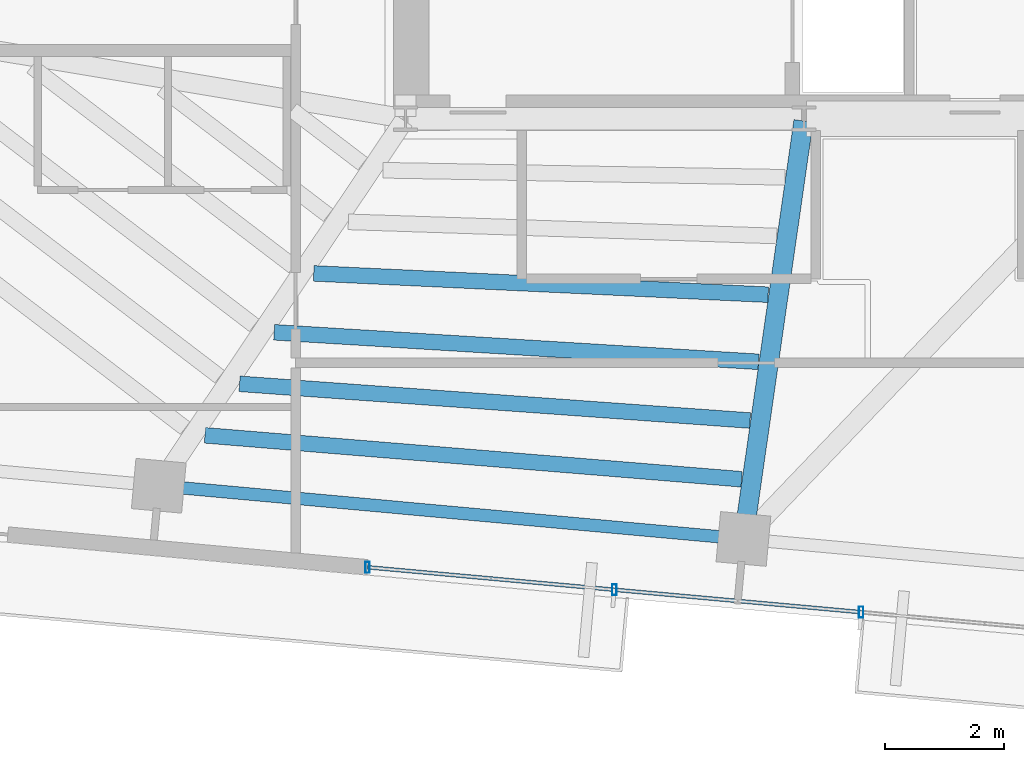
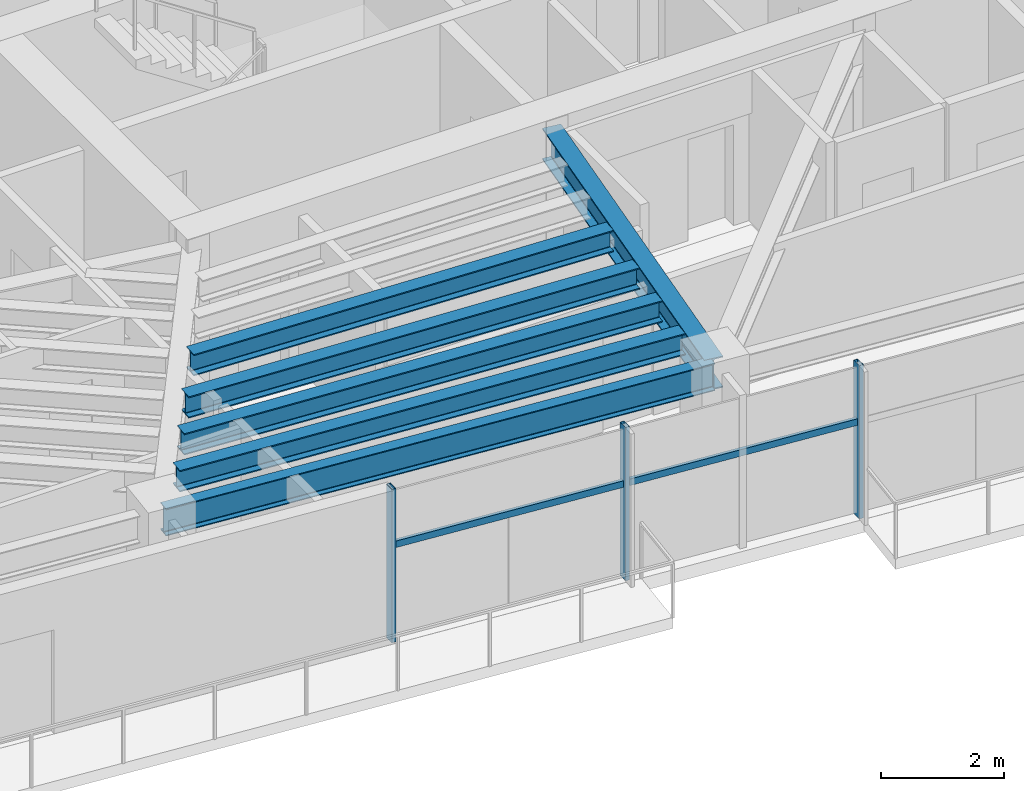
# One storey, part 6 of 22: 6 beams, 5 members, 1 element without a shape of its own.
"""IFC4 building model written with IfcOpenShell, lengths in metres."""

import ifcopenshell
import ifcopenshell.guid

model = None  # the IFC model being written
_history = None  # IfcOwnerHistory: only IFC2X3 demands one
_inside = {}  # id of a spatial element -> (the spatial element, [elements in it])
_under = {}  # id of a project, library or spatial element -> (it, [spatial elements below it])
_declared = {}  # id of a project -> (the project, [libraries it declares])
_typed = {}  # id of a type object -> (the type object, [elements of that type])
_made_of = {}  # id of a material, layer set ... -> (it, [elements and type objects made of it])


def new_model(schema):
    """Start an empty IFC model of exactly this schema.

    Asked for "IFC4X3", IfcOpenShell would pick the latest addendum, in which some entities
    have other attributes; the version numbers below select the first issue.
    IFC2X3 requires an IfcOwnerHistory on every rooted entity: one is made here for all.
    """
    global model, _history
    if schema == "IFC4X3":
        model = ifcopenshell.file(schema_version=(4, 3, 0, 0))
    else:
        model = ifcopenshell.file(schema=schema)
    _inside.clear()
    _under.clear()
    _declared.clear()
    _typed.clear()
    _made_of.clear()
    _history = None
    if model.schema == "IFC2X3":
        org = make("IfcOrganization", Name="unknown")
        user = make(
            "IfcPersonAndOrganization",
            ThePerson=make("IfcPerson", FamilyName="unknown"),
            TheOrganization=org,
        )
        app = make(
            "IfcApplication",
            ApplicationDeveloper=org,
            Version="unknown",
            ApplicationFullName="unknown",
            ApplicationIdentifier="unknown",
        )
        _history = make(
            "IfcOwnerHistory",
            OwningUser=user,
            OwningApplication=app,
            ChangeAction="ADDED",
            CreationDate=0,
        )
    return model


def make(cls, **values):
    """One entity of the class cls with the attributes given. An attribute that is None is left unset."""
    return model.create_entity(
        cls, **{name: value for name, value in values.items() if value is not None}
    )


def rooted(cls, **values):
    """An entity with a GlobalId (a new one), such as an element, a storey or a relation."""
    return make(cls, GlobalId=ifcopenshell.guid.new(), OwnerHistory=_history, **values)


def si_unit(unit_type, name, prefix=None):
    """IfcSIUnit, for example si_unit("LENGTHUNIT", "METRE", prefix="MILLI")."""
    return make("IfcSIUnit", UnitType=unit_type, Prefix=prefix, Name=name)


def assignment(units):
    """IfcUnitAssignment: the units of a project."""
    return None if units is None else make("IfcUnitAssignment", Units=units)


def point(xyz):
    """IfcCartesianPoint."""
    return None if xyz is None else make("IfcCartesianPoint", Coordinates=xyz)


def direction(xyz):
    """IfcDirection."""
    return None if xyz is None else make("IfcDirection", DirectionRatios=xyz)


def frame(location, z_axis=None, x_axis=None):
    """IfcAxis2Placement3D, a coordinate frame: its origin and axes. An axis left out is left unset."""
    return make(
        "IfcAxis2Placement3D",
        Location=point(location),
        Axis=direction(z_axis),
        RefDirection=direction(x_axis),
    )


def frame_2d(location, x_axis=None):
    """IfcAxis2Placement2D, a coordinate frame in the plane: its origin and x axis."""
    return make(
        "IfcAxis2Placement2D", Location=point(location), RefDirection=direction(x_axis)
    )


def origin():
    """The frame at (0, 0, 0) with its axes left unset."""
    return frame((0.0, 0.0, 0.0))


def origin_2d():
    """The frame at (0, 0) in the plane with its x axis left unset."""
    return frame_2d((0.0, 0.0))


def place(relative_to, where):
    """IfcLocalPlacement: puts the frame where relative to a parent placement (None: the world)."""
    return make(
        "IfcLocalPlacement", PlacementRelTo=relative_to, RelativePlacement=where
    )


def context(
    kind, dimensions, precision=None, world=None, true_north=None, identifier=None
):
    """IfcGeometricRepresentationContext, for example the 3D "Model" context."""
    return make(
        "IfcGeometricRepresentationContext",
        ContextIdentifier=identifier,
        ContextType=kind,
        CoordinateSpaceDimension=dimensions,
        Precision=precision,
        WorldCoordinateSystem=world,
        TrueNorth=true_north,
    )


def subcontext(parent, identifier, kind, view, scale=None):
    """IfcGeometricRepresentationSubContext, for example "Body" below "Model"."""
    return make(
        "IfcGeometricRepresentationSubContext",
        ContextIdentifier=identifier,
        ContextType=kind,
        ParentContext=parent,
        TargetScale=scale,
        TargetView=view,
    )


def project(units=None, contexts=None):
    """IfcProject with its units and contexts."""
    return rooted(
        "IfcProject",
        Name="project",
        RepresentationContexts=contexts,
        UnitsInContext=assignment(units),
    )


def spatial(cls, under=None, at=None, **own):
    """A site, building, storey or space (cls), placed at a placement, below another one or the project."""
    s = rooted(cls, ObjectPlacement=at, **own)
    if under is not None:
        _under.setdefault(under.id(), (under, []))[1].append(s)
    return s


def profile(cls, at=None, kind="AREA", **sizes):
    """A parametric profile (cls). Its sizes go by their IFC names, for example OverallWidth=200.0."""
    return make(cls, ProfileType=kind, Position=at, **sizes)


def hollow_rectangle(**sizes):
    """IfcRectangleHollowProfileDef."""
    return profile("IfcRectangleHollowProfileDef", **sizes)


def i_section(**sizes):
    """IfcIShapeProfileDef."""
    return profile("IfcIShapeProfileDef", **sizes)


def extrude(swept, where, along, depth):
    """IfcExtrudedAreaSolid: the profile swept, set in the frame where, extruded along a direction by depth."""
    return make(
        "IfcExtrudedAreaSolid",
        SweptArea=swept,
        Position=where,
        ExtrudedDirection=direction(along),
        Depth=depth,
    )


def shape(context_of_items, identifier, shape_type, items):
    """IfcShapeRepresentation: the items that make up one representation, for example the "Body"."""
    return make(
        "IfcShapeRepresentation",
        ContextOfItems=context_of_items,
        RepresentationIdentifier=identifier,
        RepresentationType=shape_type,
        Items=items,
    )


def source(mapping_origin, context_of_items, identifier, shape_type, items):
    """IfcRepresentationMap: a shape defined once, which mapped items show again and again."""
    return make(
        "IfcRepresentationMap",
        MappingOrigin=mapping_origin,
        MappedRepresentation=shape(context_of_items, identifier, shape_type, items),
    )


def transform(
    local_origin,
    x_axis=None,
    y_axis=None,
    z_axis=None,
    scale=None,
    scale2=None,
    scale3=None,
    uniform=True,
):
    """IfcCartesianTransformationOperator3D, or its non-uniform kind. x_axis, y_axis, z_axis: its Axis1, 2, 3."""
    if uniform:
        return make(
            "IfcCartesianTransformationOperator3D",
            Axis1=direction(x_axis),
            Axis2=direction(y_axis),
            LocalOrigin=point(local_origin),
            Scale=scale,
            Axis3=direction(z_axis),
        )
    return make(
        "IfcCartesianTransformationOperator3DnonUniform",
        Axis1=direction(x_axis),
        Axis2=direction(y_axis),
        LocalOrigin=point(local_origin),
        Scale=scale,
        Axis3=direction(z_axis),
        Scale2=scale2,
        Scale3=scale3,
    )


def mapped(mapping_source, mapping_target):
    """IfcMappedItem: shows the shape of a source again, moved by a transform."""
    return make(
        "IfcMappedItem", MappingSource=mapping_source, MappingTarget=mapping_target
    )


def material(Name=None, Category=None):
    """IfcMaterial."""
    return make("IfcMaterial", Name=Name, Category=Category)


def material_profile(
    of_material, cross_section, Name=None, Category=None, Priority=None
):
    """IfcMaterialProfile: a cross section and its material."""
    return make(
        "IfcMaterialProfile",
        Name=Name,
        Material=of_material,
        Profile=cross_section,
        Priority=Priority,
        Category=Category,
    )


def profile_set(profiles, Name=None, composite=None):
    """IfcMaterialProfileSet."""
    return make(
        "IfcMaterialProfileSet",
        Name=Name,
        MaterialProfiles=profiles,
        CompositeProfile=composite,
    )


def made_of(thing, what):
    """Note that an element or type object is made of a material, layer set ...; save() writes the relation."""
    if what is not None:
        _made_of.setdefault(what.id(), (what, []))[1].append(thing)
    return thing


def type_object(cls, material=None, **own):
    """A type object (cls), such as IfcWallType, which elements share."""
    return made_of(rooted(cls, **own), material)


def type_shapes(of_type, sources):
    """Give a type object the sources (RepresentationMaps) that its elements show as mapped items."""
    of_type.RepresentationMaps = sources


def element(
    cls,
    number,
    at=None,
    inside=None,
    cuts=None,
    type_object=None,
    material=None,
    context=None,
    identifier="Body",
    shape_type=None,
    held_by="IfcProductDefinitionShape",
    body=None,
    shapes=None,
    **own,
):
    """One element of the class cls, such as IfcWall. Its Tag is "e" and its number.

    at: its placement. inside: the storey or other place that contains it. cuts: it is an
    opening in that element (IfcRelVoidsElement). A single representation is given by context,
    identifier, shape_type and body (its items); several are given by shapes. held_by: the class
    of the entity that holds the representations. save() writes the other relations.
    """
    e = rooted(cls, Tag="e%d" % number, ObjectPlacement=at, **own)
    if body is not None:
        shapes = [shape(context, identifier, shape_type, body)]
    if shapes is not None:
        e.Representation = make(held_by, Representations=shapes)
    if inside is not None:
        _inside.setdefault(inside.id(), (inside, []))[1].append(e)
    if cuts is not None:
        rooted(
            "IfcRelVoidsElement", RelatingBuildingElement=cuts, RelatedOpeningElement=e
        )
    if type_object is not None:
        _typed.setdefault(type_object.id(), (type_object, []))[1].append(e)
    return made_of(e, material)


def aggregate(whole, parts):
    """IfcRelAggregates: a whole, such as a stair, and the parts it consists of."""
    return rooted("IfcRelAggregates", RelatingObject=whole, RelatedObjects=parts)


def save(model, path):
    """Write the relations noted so far, then the file.

    IfcRelAggregates (storeys below a building ...), IfcRelContainedInSpatialStructure (elements
    in a storey), IfcRelDefinesByType, IfcRelAssociatesMaterial and IfcRelDeclares: one each for
    every whole, place, type object, material and project.
    """
    for whole, parts in _under.values():
        aggregate(whole, parts)
    for where, things in _inside.values():
        rooted(
            "IfcRelContainedInSpatialStructure",
            RelatedElements=things,
            RelatingStructure=where,
        )
    for kind, things in _typed.values():
        rooted("IfcRelDefinesByType", RelatedObjects=things, RelatingType=kind)
    for what, things in _made_of.values():
        rooted("IfcRelAssociatesMaterial", RelatedObjects=things, RelatingMaterial=what)
    for by, libraries in _declared.values():
        rooted("IfcRelDeclares", RelatingContext=by, RelatedDefinitions=libraries)
    model.write(path)


model = new_model("IFC4")

# Units and contexts
model_context = context("Model", 3, precision=1e-05, world=origin(), true_north=direction((0.0, 1.0)))
body_context = subcontext(model_context, "Body", "Model", "MODEL_VIEW")
ifc_project = project(units=[si_unit("LENGTHUNIT", "METRE"), si_unit("AREAUNIT", "SQUARE_METRE"), si_unit("VOLUMEUNIT", "CUBIC_METRE"), si_unit("PLANEANGLEUNIT", "RADIAN"), si_unit("MASSUNIT", "GRAM", prefix="KILO")], contexts=[model_context])

# Site, building, storey
site_placement = place(None, origin())
site = spatial("IfcSite", under=ifc_project, at=site_placement, CompositionType="ELEMENT")
building_placement = place(site_placement, origin())
building = spatial("IfcBuilding", under=site, at=building_placement, Name="Astriad Promenade Condominiums", CompositionType="ELEMENT")
storey_placement = place(building_placement, frame((0.0, 0.0, 249.60009765625)))
storey = spatial("IfcBuildingStorey", under=building, at=storey_placement, Name="L72", CompositionType="ELEMENT", Elevation=249.60009765625)

# Beams
ifc_material_1 = material(Name="Steel ASTM A992 Grade 50", Category="steel")
ifc_material_profile_1 = material_profile(ifc_material_1, i_section(OverallWidth=0.210693359375, OverallDepth=0.53955078125, WebThickness=0.01171875, FlangeThickness=0.018798828125, FilletRadius=0.0166015625, at=origin_2d()), Name="W21X73")
ifc_profile_set_1 = profile_set([ifc_material_profile_1], Name="Steel ASTM A992 Grade 50")
beam_type_1 = type_object("IfcBeamType", Name="STEEL SPANDREL BEAM W21X73", PredefinedType="SPANDREL", material=ifc_profile_set_1)
shared_shape_1 = source(origin(), body_context, "Body", "SweptSolid", [
    extrude(i_section(OverallWidth=0.210693359375, OverallDepth=0.53955078125, WebThickness=0.01171875, FlangeThickness=0.018798828125, FilletRadius=0.0166015625, at=origin_2d()), origin(), (0.0, 0.0, 1.0), 9.81982421875),
])
type_shapes(beam_type_1, [shared_shape_1])
beam_1_placement = place(storey_placement, frame((22.281005859375, 11.205322265625, 2.77001953125), z_axis=(0.995885459014, -0.090620927631, 0.0), x_axis=(0.090620927631, 0.995885459014, 0.0)))
element("IfcBeam", 1, at=beam_1_placement, inside=storey, type_object=beam_type_1, Name="Perimeter Spandrel Beam SP-S2-L72", PredefinedType="SPANDREL", context=body_context, shape_type="MappedRepresentation", body=[
    mapped(shared_shape_1, transform((0.0, 0.0, 0.0), scale=1.0)),
])
ifc_material_profile_2 = material_profile(ifc_material_1, i_section(OverallWidth=0.326416015625, OverallDepth=0.621826171875, WebThickness=0.015380859375, FlangeThickness=0.0244140625, FilletRadius=0.017822265625, at=origin_2d()), Name="W24X131")
ifc_profile_set_2 = profile_set([ifc_material_profile_2], Name="Steel ASTM A992 Grade 50")
beam_type_2 = type_object("IfcBeamType", Name="STEEL FLOOR GIRDER W24X131", PredefinedType="BEAM", material=ifc_profile_set_2)
shared_shape_2 = source(origin(), body_context, "Body", "SweptSolid", [
    extrude(i_section(OverallWidth=0.326416015625, OverallDepth=0.621826171875, WebThickness=0.015380859375, FlangeThickness=0.0244140625, FilletRadius=0.017822265625, at=origin_2d()), origin(), (0.0, 0.0, 1.0), 7.081298828125),
])
type_shapes(beam_type_2, [shared_shape_2])
beam_2_placement = place(storey_placement, frame((32.10595703125, 10.351318359375, 2.72900390625), z_axis=(0.142391481124, 0.989810419274, 0.0), x_axis=(-0.989810419274, 0.142391481124, 0.0)))
element("IfcBeam", 2, at=beam_2_placement, inside=storey, type_object=beam_type_2, Name="Primary Floor Girder PG-C1-L72", PredefinedType="BEAM", context=body_context, shape_type="MappedRepresentation", body=[
    mapped(shared_shape_2, transform((0.0, 0.0, 0.0), scale=1.0)),
])
ifc_material_profile_3 = material_profile(ifc_material_1, i_section(OverallWidth=0.26318359375, OverallDepth=0.425537109375, WebThickness=0.01318359375, FlangeThickness=0.022216796875, FilletRadius=0.013916015625, at=origin_2d()), Name="W16X89")
ifc_profile_set_3 = profile_set([ifc_material_profile_3], Name="Steel ASTM A992 Grade 50")
beam_type_3 = type_object("IfcBeamType", Name="STEEL FLOOR JOIST W16X89", PredefinedType="JOIST", material=ifc_profile_set_3)
shared_shape_3 = source(origin(), body_context, "Body", "SweptSolid", [
    extrude(i_section(OverallWidth=0.26318359375, OverallDepth=0.425537109375, WebThickness=0.01318359375, FlangeThickness=0.022216796875, FilletRadius=0.013916015625, at=origin_2d()), origin(), (0.0, 0.0, 1.0), 9.08056640625),
])
beam_3_placement = place(storey_placement, frame((23.019775390625, 12.059814453125, 2.8271484375), z_axis=(0.996660857814, -0.081652522934, 0.0), x_axis=(0.081652522934, 0.996660857814, 0.0)))
element("IfcBeam", 3, at=beam_3_placement, inside=storey, type_object=beam_type_3, Name="Secondary Composite Floor Joist JCW-1-L72", PredefinedType="JOIST", context=body_context, shape_type="MappedRepresentation", body=[
    mapped(shared_shape_3, transform((0.0, 0.0, 0.0), scale=1.0)),
])
shared_shape_4 = source(origin(), body_context, "Body", "SweptSolid", [
    extrude(i_section(OverallWidth=0.26318359375, OverallDepth=0.425537109375, WebThickness=0.01318359375, FlangeThickness=0.022216796875, FilletRadius=0.013916015625, at=origin_2d()), origin(), (0.0, 0.0, 1.0), 8.631591796875),
])
beam_4_placement = place(storey_placement, frame((23.603271484375, 12.92822265625, 2.8271484375), z_axis=(0.997424124914, -0.071729457259, 0.0), x_axis=(0.071729457259, 0.997424124914, 0.0)))
element("IfcBeam", 4, at=beam_4_placement, inside=storey, type_object=beam_type_3, Name="Secondary Composite Floor Joist JCW-2-L72", PredefinedType="JOIST", context=body_context, shape_type="MappedRepresentation", body=[
    mapped(shared_shape_4, transform((0.0, 0.0, 0.0), scale=1.0)),
])
shared_shape_5 = source(origin(), body_context, "Body", "SweptSolid", [
    extrude(i_section(OverallWidth=0.26318359375, OverallDepth=0.425537109375, WebThickness=0.01318359375, FlangeThickness=0.022216796875, FilletRadius=0.013916015625, at=origin_2d()), origin(), (0.0, 0.0, 1.0), 8.183349609375),
])
beam_5_placement = place(storey_placement, frame((24.186767578125, 13.797119140625, 2.8271484375), z_axis=(0.998148077796, -0.06083103478, 0.0), x_axis=(0.06083103478, 0.998148077796, 0.0)))
element("IfcBeam", 5, at=beam_5_placement, inside=storey, type_object=beam_type_3, Name="Secondary Composite Floor Joist JCW-3-L72", PredefinedType="JOIST", context=body_context, shape_type="MappedRepresentation", body=[
    mapped(shared_shape_5, transform((0.0, 0.0, 0.0), scale=1.0)),
])
shared_shape_6 = source(origin(), body_context, "Body", "SweptSolid", [
    extrude(i_section(OverallWidth=0.26318359375, OverallDepth=0.425537109375, WebThickness=0.01318359375, FlangeThickness=0.022216796875, FilletRadius=0.013916015625, at=origin_2d()), origin(), (0.0, 0.0, 1.0), 7.672119140625),
])
type_shapes(beam_type_3, [shared_shape_3, shared_shape_4, shared_shape_5, shared_shape_6])
beam_6_placement = place(storey_placement, frame((24.85400390625, 14.790283203125, 2.8271484375), z_axis=(0.998903848677, -0.04680919886, 0.0), x_axis=(0.04680919886, 0.998903848677, 0.0)))
element("IfcBeam", 6, at=beam_6_placement, inside=storey, type_object=beam_type_3, Name="Secondary Composite Floor Joist JCW-4-L72", PredefinedType="JOIST", context=body_context, shape_type="MappedRepresentation", body=[
    mapped(shared_shape_6, transform((0.0, 0.0, 0.0), scale=1.0)),
])

# Curtain wall, members
ifc_material_2 = material(Name="Anodised aluminium Black Dark Glass Unitised", Category="aluminium")
curtain_wall_type = type_object("IfcCurtainWallType", Name="CW-B5-DARK", PredefinedType="USERDEFINED", material=ifc_material_2)
curtain_wall_placement = place(storey_placement, origin())
curtain_wall = element("IfcCurtainWall", 7, at=curtain_wall_placement, inside=storey, type_object=curtain_wall_type, Name="CW-L72-S", ObjectType="UNITISED_CURTAIN_WALL", PredefinedType="USERDEFINED")
ifc_material_3 = material(Name="Anodised aluminium 6063-T6 Black", Category="aluminium")
ifc_material_profile_4 = material_profile(ifc_material_3, hollow_rectangle(XDim=0.074951171875, YDim=0.18505859375, WallThickness=0.00439453125, at=origin_2d()), Name="ALU-MUL-75X185")
ifc_profile_set_4 = profile_set([ifc_material_profile_4], Name="Anodised aluminium 6063-T6 Black")
member_type_1 = type_object("IfcMemberType", Name="MUL-ALU-MUL-75X185", PredefinedType="MULLION", material=ifc_profile_set_4)
shared_shape_7 = source(origin(), body_context, "Body", "SweptSolid", [
    extrude(hollow_rectangle(XDim=0.074951171875, YDim=0.18505859375, WallThickness=0.00439453125, at=origin_2d()), origin(), (0.0, 0.0, 1.0), 3.039794921875),
])
type_shapes(member_type_1, [shared_shape_7])
member_1_placement = place(storey_placement, frame((34.086669921875, 9.07666015625, 0.0), z_axis=(0.0, 0.0, 1.0), x_axis=(1.0, 0.0, 0.0)))
member_1 = element("IfcMember", 8, at=member_1_placement, type_object=member_type_1, Name="CW-L72-S-MUL-01", PredefinedType="MULLION", context=body_context, shape_type="MappedRepresentation", body=[
    mapped(shared_shape_7, transform((0.0, 0.0, 0.0), scale=1.0)),
])
member_2_placement = place(storey_placement, frame((29.923828125, 9.45556640625, 0.0), z_axis=(0.0, 0.0, 1.0), x_axis=(1.0, 0.0, 0.0)))
member_2 = element("IfcMember", 9, at=member_2_placement, type_object=member_type_1, Name="CW-L72-S-MUL-02", PredefinedType="MULLION", context=body_context, shape_type="MappedRepresentation", body=[
    mapped(shared_shape_7, transform((0.0, 0.0, 0.0), scale=1.0)),
])
member_3_placement = place(storey_placement, frame((25.760986328125, 9.83447265625, 0.0), z_axis=(0.0, 0.0, 1.0), x_axis=(1.0, 0.0, 0.0)))
member_3 = element("IfcMember", 10, at=member_3_placement, type_object=member_type_1, Name="CW-L72-S-MUL-03", PredefinedType="MULLION", context=body_context, shape_type="MappedRepresentation", body=[
    mapped(shared_shape_7, transform((0.0, 0.0, 0.0), scale=1.0)),
])
ifc_material_profile_5 = material_profile(ifc_material_3, hollow_rectangle(XDim=0.06494140625, YDim=0.1298828125, WallThickness=0.00390625, at=origin_2d()), Name="ALU-TRN-65X130")
ifc_profile_set_5 = profile_set([ifc_material_profile_5], Name="Anodised aluminium 6063-T6 Black")
member_type_2 = type_object("IfcMemberType", Name="TRN-ALU-TRN-65X130", PredefinedType="USERDEFINED", material=ifc_profile_set_5)
shared_shape_8 = source(origin(), body_context, "Body", "SweptSolid", [
    extrude(hollow_rectangle(XDim=0.06494140625, YDim=0.1298828125, WallThickness=0.00390625, at=origin_2d()), origin(), (0.0, 0.0, 1.0), 4.179931640625),
])
type_shapes(member_type_2, [shared_shape_8])
member_4_placement = place(storey_placement, frame((34.086669921875, 9.07666015625, 1.884765625), z_axis=(-0.995883146811, 0.090646334165, 0.0), x_axis=(-0.090646334165, -0.995883146811, 0.0)))
member_4 = element("IfcMember", 11, at=member_4_placement, type_object=member_type_2, Name="CW-L72-S-TRN-01-0", ObjectType="TRANSOM", PredefinedType="USERDEFINED", context=body_context, shape_type="MappedRepresentation", body=[
    mapped(shared_shape_8, transform((0.0, 0.0, 0.0), scale=1.0)),
])
member_5_placement = place(storey_placement, frame((29.923828125, 9.45556640625, 1.884765625), z_axis=(-0.995883146811, 0.090646334165, 0.0), x_axis=(-0.090646334165, -0.995883146811, 0.0)))
member_5 = element("IfcMember", 12, at=member_5_placement, type_object=member_type_2, Name="CW-L72-S-TRN-02-0", ObjectType="TRANSOM", PredefinedType="USERDEFINED", context=body_context, shape_type="MappedRepresentation", body=[
    mapped(shared_shape_8, transform((0.0, 0.0, 0.0), scale=1.0)),
])
aggregate(curtain_wall, [member_1, member_2, member_3, member_4, member_5])

save(model, "model.ifc")
